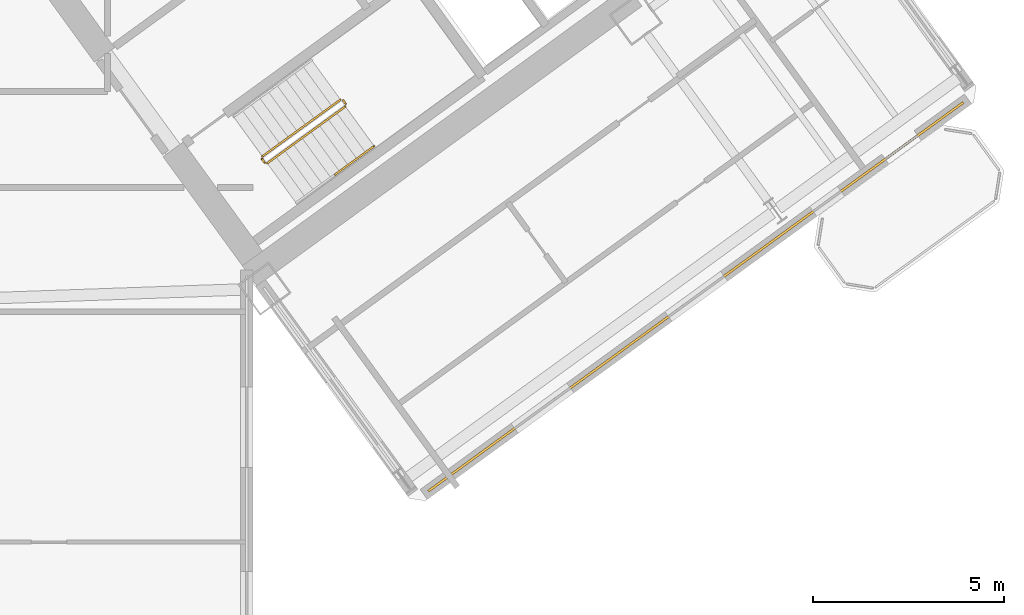
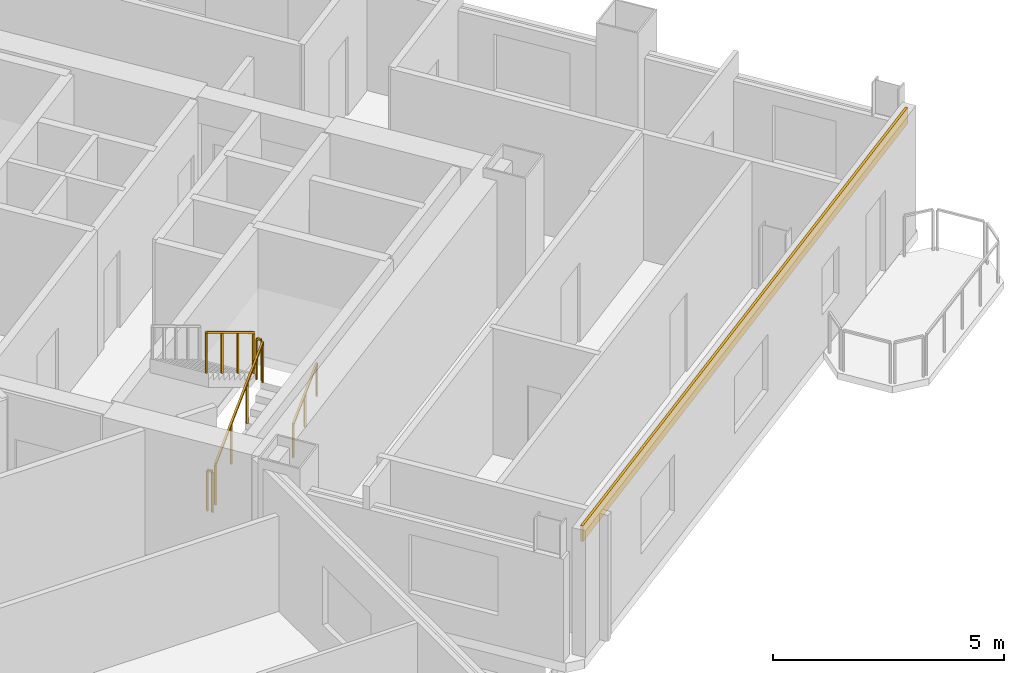
# One storey, part 26 of 28: 5 railings, 1 covering.
"""IFC4 building model written with IfcOpenShell, lengths in metres."""

from ifc_helpers import new_model, si_unit, direction, frame, origin, origin_2d, place, context, subcontext, project, spatial, rectangle, extrude, source, transform, mapped, material, layer, layer_set, type_object, element, save


model = new_model("IFC4")

# Units and contexts
model_context = context("Model", 3, precision=1e-05, world=origin(), true_north=direction((0.0, 1.0)))
body_context = subcontext(model_context, "Body", "Model", "MODEL_VIEW")
ifc_project = project(units=[si_unit("LENGTHUNIT", "METRE"), si_unit("AREAUNIT", "SQUARE_METRE"), si_unit("VOLUMEUNIT", "CUBIC_METRE"), si_unit("PLANEANGLEUNIT", "RADIAN"), si_unit("MASSUNIT", "GRAM", prefix="KILO")], contexts=[model_context])

# Site, building, storey
site_placement = place(None, origin())
site = spatial("IfcSite", under=ifc_project, at=site_placement, CompositionType="ELEMENT")
building_placement = place(site_placement, origin())
building = spatial("IfcBuilding", under=site, at=building_placement, Name="Tlacorven Tower", CompositionType="ELEMENT")
storey_placement = place(building_placement, frame((0.0, 0.0, 63.60009765625)))
storey = spatial("IfcBuildingStorey", under=building, at=storey_placement, Name="L16", CompositionType="ELEMENT", Elevation=63.60009765625)

# Covering
ifc_material_1 = material(Name="Precast concrete C45/55", Category="concrete")
ifc_layer = layer(ifc_material_1, 0.06005859375)
ifc_layer_set = layer_set([ifc_layer], Name="Precast concrete C45/55")
covering_type = type_object("IfcCoveringType", Name="CV-CLD-TERC", PredefinedType="CLADDING", material=ifc_layer_set)
shared_shape_1 = source(origin(), body_context, "Body", "SweptSolid", [
    extrude(rectangle(XDim=17.287353515625, YDim=0.06005859375, at=origin_2d()), origin(), (0.0, 0.0, 1.0), 0.419921875),
])
covering_placement = place(storey_placement, frame((63.9833984375, 12.562255859375, 2.929931640625), z_axis=(0.0, 0.0, 1.0), x_axis=(-0.809017097486, -0.587785110372, 0.0)))
element("IfcCovering", 1, at=covering_placement, inside=storey, type_object=covering_type, Name="L16 Masonry-Frame Spandrel Cladding 6", PredefinedType="CLADDING", context=body_context, shape_type="MappedRepresentation", body=[
    mapped(shared_shape_1, transform((0.0, 0.0, 0.0), scale=1.0)),
])

# Railings
ifc_material_2 = material(Name="Aluminium and painted steel balustrade", Category="steel")
railing_type_1 = type_object("IfcRailingType", Name="RL-GRD-1100", PredefinedType="GUARDRAIL", material=ifc_material_2)
shared_shape_2 = source(origin(), body_context, "Body", "SweptSolid", [
    extrude(rectangle(XDim=0.048095703125, YDim=0.048095703125, at=origin_2d()), frame((0.0, 0.0, 1.076171875), z_axis=(-0.587567097037, 0.809175448515, 0.0), x_axis=(-0.809175448515, -0.587567097037, 0.0)), (0.0, 0.0, 1.0), 0.1201171875),
    extrude(rectangle(XDim=0.0419921875, YDim=0.0419921875, at=origin_2d()), origin(), (0.0, 0.0, 1.0), 1.052001953125),
    extrude(rectangle(XDim=0.0419921875, YDim=0.0419921875, at=origin_2d()), frame((-0.070556640625, 0.09716796875, 0.0)), (0.0, 0.0, 1.0), 1.052001953125),
])
for number, where, name in (
    (2, (54.8310546875, 17.605712890625, 1.7998046875), "L16 ST-E2 stair guard 2"),
    (3, (52.71142578125, 16.065673828125, 0.0), "L16 ST-E2 stair guard 4"),
):
    element("IfcRailing", number, at=place(storey_placement, frame(where)), inside=storey, type_object=railing_type_1, Name=name, PredefinedType="GUARDRAIL", context=body_context, shape_type="MappedRepresentation", body=[
        mapped(shared_shape_2, transform((0.0, 0.0, 0.0), scale=1.0)),
    ])
railing_type_2 = type_object("IfcRailingType", Name="RL-HND-0900", PredefinedType="HANDRAIL", material=ifc_material_2)
shared_shape_3 = source(origin(), body_context, "Body", "SweptSolid", [
    extrude(rectangle(XDim=0.048095703125, YDim=0.048095703125, at=origin_2d()), frame((0.0, 0.0, 0.8759765625), z_axis=(0.680576044605, 0.494416082224, 0.54071155448), x_axis=(-0.587745292299, 0.809046025502, 0.0)), (0.0, 0.0, 1.0), 1.497802734375),
    extrude(rectangle(XDim=0.0419921875, YDim=0.0419921875, at=origin_2d()), origin(), (0.0, 0.0, 1.0), 0.851806640625),
    extrude(rectangle(XDim=0.0419921875, YDim=0.0419921875, at=origin_2d()), frame((0.509765625, 0.3701171875, 0.40478515625)), (0.0, 0.0, 1.0), 0.851806640625),
    extrude(rectangle(XDim=0.0419921875, YDim=0.0419921875, at=origin_2d()), frame((1.019287109375, 0.740478515625, 0.809814453125)), (0.0, 0.0, 1.0), 0.851806640625),
])
railing_1_placement = place(storey_placement, frame((54.552978515625, 15.759765625, 0.989990234375)))
element("IfcRailing", 4, at=railing_1_placement, inside=storey, type_object=railing_type_2, Name="L16 ST-E2 stair handrail 2", PredefinedType="HANDRAIL", context=body_context, shape_type="MappedRepresentation", body=[
    mapped(shared_shape_3, transform((0.0, 0.0, 0.0), scale=1.0)),
])
shared_shape_4 = source(origin(), body_context, "Body", "SweptSolid", [
    extrude(rectangle(XDim=0.048095703125, YDim=0.048095703125, at=origin_2d()), frame((0.0, 0.0, 1.076171875), z_axis=(0.680562380517, 0.494428447203, 0.540717446381), x_axis=(-0.587762637553, 0.809033424462, 0.0)), (0.0, 0.0, 1.0), 2.995849609375),
    extrude(rectangle(XDim=0.0419921875, YDim=0.0419921875, at=origin_2d()), origin(), (0.0, 0.0, 1.0), 1.052001953125),
    extrude(rectangle(XDim=0.0419921875, YDim=0.0419921875, at=origin_2d()), frame((0.6796875, 0.49365234375, 0.5400390625)), (0.0, 0.0, 1.0), 1.052001953125),
    extrude(rectangle(XDim=0.0419921875, YDim=0.0419921875, at=origin_2d()), frame((1.359130859375, 0.987548828125, 1.079833984375)), (0.0, 0.0, 1.0), 1.052001953125),
    extrude(rectangle(XDim=0.0419921875, YDim=0.0419921875, at=origin_2d()), frame((2.038818359375, 1.481201171875, 1.619873046875)), (0.0, 0.0, 1.0), 1.052001953125),
])
railing_2_placement = place(storey_placement, frame((52.78125, 16.0546875, 0.179931640625)))
element("IfcRailing", 5, at=railing_2_placement, inside=storey, type_object=railing_type_1, Name="L16 ST-E2 stair guard 1", PredefinedType="GUARDRAIL", context=body_context, shape_type="MappedRepresentation", body=[
    mapped(shared_shape_4, transform((0.0, 0.0, 0.0), scale=1.0)),
])
shared_shape_5 = source(origin(), body_context, "Body", "SweptSolid", [
    extrude(rectangle(XDim=0.048095703125, YDim=0.048095703125, at=origin_2d()), frame((0.0, 0.0, 1.076171875), z_axis=(-0.680562380517, -0.494428447203, 0.540717446381), x_axis=(0.587762637553, -0.809033424462, 0.0)), (0.0, 0.0, 1.0), 2.995849609375),
    extrude(rectangle(XDim=0.0419921875, YDim=0.0419921875, at=origin_2d()), origin(), (0.0, 0.0, 1.0), 1.052001953125),
    extrude(rectangle(XDim=0.0419921875, YDim=0.0419921875, at=origin_2d()), frame((-0.6796875, -0.49365234375, 0.5400390625)), (0.0, 0.0, 1.0), 1.052001953125),
    extrude(rectangle(XDim=0.0419921875, YDim=0.0419921875, at=origin_2d()), frame((-1.359130859375, -0.987548828125, 1.079833984375)), (0.0, 0.0, 1.0), 1.052001953125),
    extrude(rectangle(XDim=0.0419921875, YDim=0.0419921875, at=origin_2d()), frame((-2.038818359375, -1.481201171875, 1.619873046875)), (0.0, 0.0, 1.0), 1.052001953125),
])
railing_3_placement = place(storey_placement, frame((54.690673828125, 17.7138671875, 1.97998046875)))
element("IfcRailing", 6, at=railing_3_placement, inside=storey, type_object=railing_type_1, Name="L16 ST-E2 stair guard 3", PredefinedType="GUARDRAIL", context=body_context, shape_type="MappedRepresentation", body=[
    mapped(shared_shape_5, transform((0.0, 0.0, 0.0), scale=1.0)),
])

save(model, "model.ifc")
